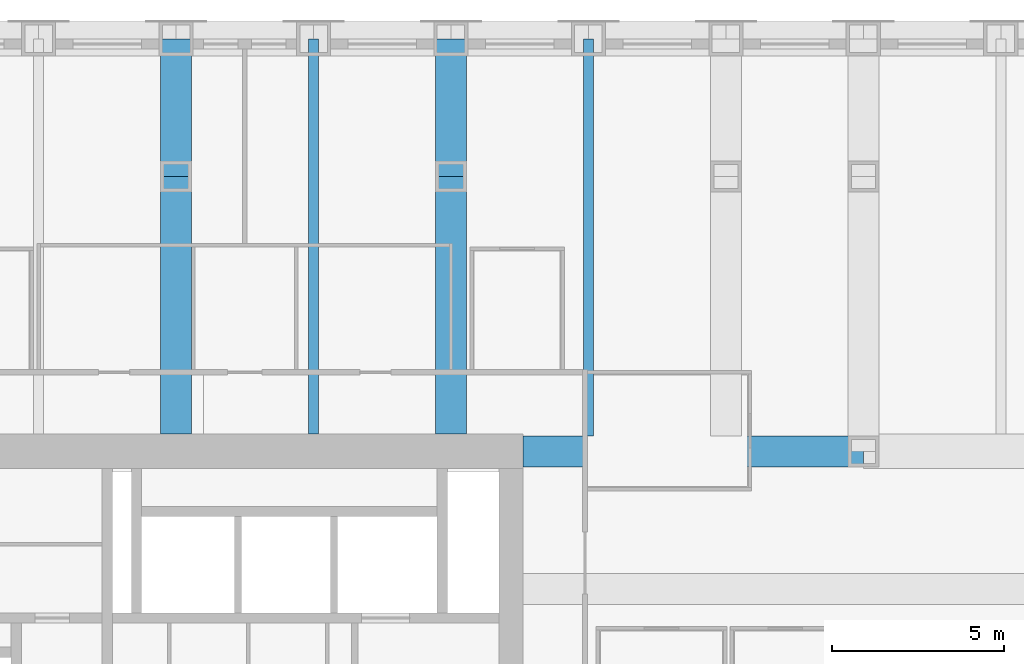
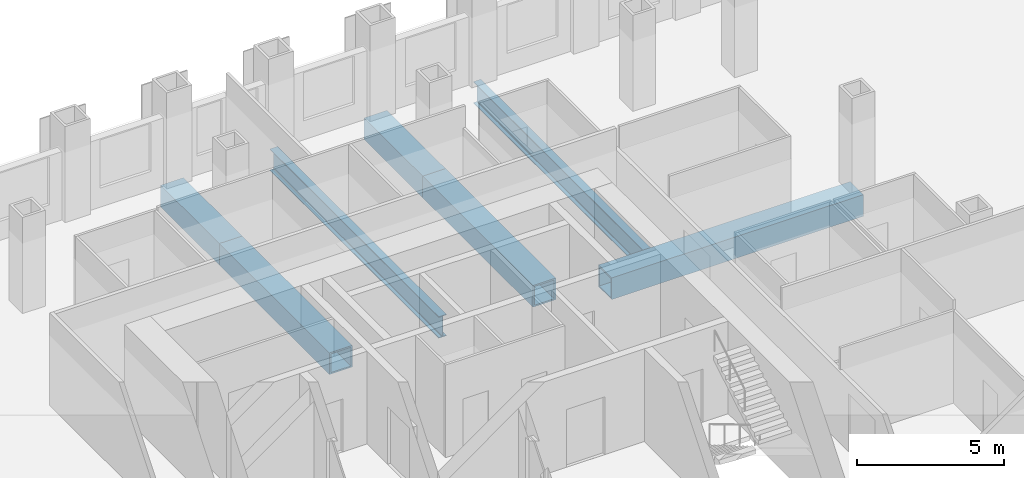
# One storey, part 7 of 16: 7 beams.
"""IFC4 building model written with IfcOpenShell, lengths in metres."""

from ifc_helpers import new_model, si_unit, direction, frame, origin, origin_2d, place, context, subcontext, project, spatial, hollow_rectangle, i_section, extrude, material, material_profile, profile_set, type_object, element, save


model = new_model("IFC4")

# Units and contexts
model_context = context("Model", 3, precision=1e-05, world=origin(), true_north=direction((0.0, 1.0)))
body_context = subcontext(model_context, "Body", "Model", "MODEL_VIEW")
ifc_project = project(units=[si_unit("LENGTHUNIT", "METRE"), si_unit("AREAUNIT", "SQUARE_METRE"), si_unit("VOLUMEUNIT", "CUBIC_METRE"), si_unit("PLANEANGLEUNIT", "RADIAN"), si_unit("MASSUNIT", "GRAM", prefix="KILO")], contexts=[model_context])

# Site, building, storey
site_placement = place(None, origin())
site = spatial("IfcSite", under=ifc_project, at=site_placement, CompositionType="ELEMENT")
building_placement = place(site_placement, origin())
building = spatial("IfcBuilding", under=site, at=building_placement, Name="Rimbunsela Tower", CompositionType="ELEMENT")
storey_placement = place(building_placement, frame((0.0, 0.0, 93.39990234375)))
storey = spatial("IfcBuildingStorey", under=building, at=storey_placement, Name="L22", CompositionType="ELEMENT", Elevation=93.39990234375)

# Beams
ifc_material_1 = material(Name="Steel BJ 55 (fy 410 MPa)", Category="steel")
ifc_material_profile_1 = material_profile(ifc_material_1, hollow_rectangle(XDim=0.89990234375, YDim=0.89990234375, WallThickness=0.06005859375, at=origin_2d()), Name="BOX 900x900x60")
ifc_profile_set_1 = profile_set([ifc_material_profile_1], Name="Steel BJ 55 (fy 410 MPa)")
beam_type_1 = type_object("IfcBeamType", Name="Beam BOX 900x900x60", PredefinedType="BEAM", material=ifc_profile_set_1)
beam_1_placement = place(storey_placement, frame((26.0, 36.5, -0.599853515625), z_axis=(0.0, 1.0, 0.0), x_axis=(-1.0, 0.0, 0.0)))
element("IfcBeam", 1, at=beam_1_placement, inside=storey, type_object=beam_type_1, Name="Beam B1 L22", PredefinedType="BEAM", context=body_context, shape_type="SweptSolid", body=[
    extrude(hollow_rectangle(XDim=0.89990234375, YDim=0.89990234375, WallThickness=0.06005859375, at=origin_2d()), origin(), (0.0, 0.0, 1.0), 7.5),
])
beam_2_placement = place(storey_placement, frame((26.0, 44.0, -0.599853515625), z_axis=(0.0, 1.0, 0.0), x_axis=(-1.0, 0.0, 0.0)))
element("IfcBeam", 2, at=beam_2_placement, inside=storey, type_object=beam_type_1, Name="Beam B1 L22", PredefinedType="BEAM", context=body_context, shape_type="SweptSolid", body=[
    extrude(hollow_rectangle(XDim=0.89990234375, YDim=0.89990234375, WallThickness=0.06005859375, at=origin_2d()), origin(), (0.0, 0.0, 1.0), 4.0),
])
beam_3_placement = place(storey_placement, frame((34.0, 36.5, -0.599853515625), z_axis=(0.0, 1.0, 0.0), x_axis=(-1.0, 0.0, 0.0)))
element("IfcBeam", 3, at=beam_3_placement, inside=storey, type_object=beam_type_1, Name="Beam B1 L22", PredefinedType="BEAM", context=body_context, shape_type="SweptSolid", body=[
    extrude(hollow_rectangle(XDim=0.89990234375, YDim=0.89990234375, WallThickness=0.06005859375, at=origin_2d()), origin(), (0.0, 0.0, 1.0), 7.5),
])
beam_4_placement = place(storey_placement, frame((34.0, 44.0, -0.599853515625), z_axis=(0.0, 1.0, 0.0), x_axis=(-1.0, 0.0, 0.0)))
element("IfcBeam", 4, at=beam_4_placement, inside=storey, type_object=beam_type_1, Name="Beam B1 L22", PredefinedType="BEAM", context=body_context, shape_type="SweptSolid", body=[
    extrude(hollow_rectangle(XDim=0.89990234375, YDim=0.89990234375, WallThickness=0.06005859375, at=origin_2d()), origin(), (0.0, 0.0, 1.0), 4.0),
])
beam_5_placement = place(storey_placement, frame((36.10009765625, 36.0, -0.599853515625), z_axis=(1.0, 0.0, 0.0), x_axis=(0.0, 1.0, 0.0)))
element("IfcBeam", 5, at=beam_5_placement, inside=storey, type_object=beam_type_1, Name="Beam B1 L22", PredefinedType="BEAM", context=body_context, shape_type="SweptSolid", body=[
    extrude(hollow_rectangle(XDim=0.89990234375, YDim=0.89990234375, WallThickness=0.06005859375, at=origin_2d()), origin(), (0.0, 0.0, 1.0), 9.89990234375),
])
ifc_material_2 = material(Name="Steel BJ 55 (fy 410 MPa)", Category="steel")
ifc_material_profile_2 = material_profile(ifc_material_2, i_section(OverallWidth=0.300048828125, OverallDepth=0.89990234375, WebThickness=0.01611328125, FlangeThickness=0.028076171875, FilletRadius=0.028076171875, at=origin_2d()), Name="H 900x300x16x28")
ifc_profile_set_2 = profile_set([ifc_material_profile_2], Name="Steel BJ 55 (fy 410 MPa)")
beam_type_2 = type_object("IfcBeamType", Name="Beam H 900x300x16x28", PredefinedType="BEAM", material=ifc_profile_set_2)
beam_6_placement = place(storey_placement, frame((30.0, 36.5, -0.599853515625), z_axis=(0.0, 1.0, 0.0), x_axis=(-1.0, 0.0, 0.0)))
element("IfcBeam", 6, at=beam_6_placement, inside=storey, type_object=beam_type_2, Name="Beam B2 L22", PredefinedType="BEAM", context=body_context, shape_type="SweptSolid", body=[
    extrude(i_section(OverallWidth=0.300048828125, OverallDepth=0.89990234375, WebThickness=0.01611328125, FlangeThickness=0.028076171875, FilletRadius=0.028076171875, at=origin_2d()), origin(), (0.0, 0.0, 1.0), 11.5),
])
beam_7_placement = place(storey_placement, frame((38.0, 36.449951171875, -0.599853515625), z_axis=(0.0, 1.0, 0.0), x_axis=(-1.0, 0.0, 0.0)))
element("IfcBeam", 7, at=beam_7_placement, inside=storey, type_object=beam_type_2, Name="Beam B2 L22", PredefinedType="BEAM", context=body_context, shape_type="SweptSolid", body=[
    extrude(i_section(OverallWidth=0.300048828125, OverallDepth=0.89990234375, WebThickness=0.01611328125, FlangeThickness=0.028076171875, FilletRadius=0.028076171875, at=origin_2d()), origin(), (0.0, 0.0, 1.0), 11.550048828125),
])

save(model, "model.ifc")
